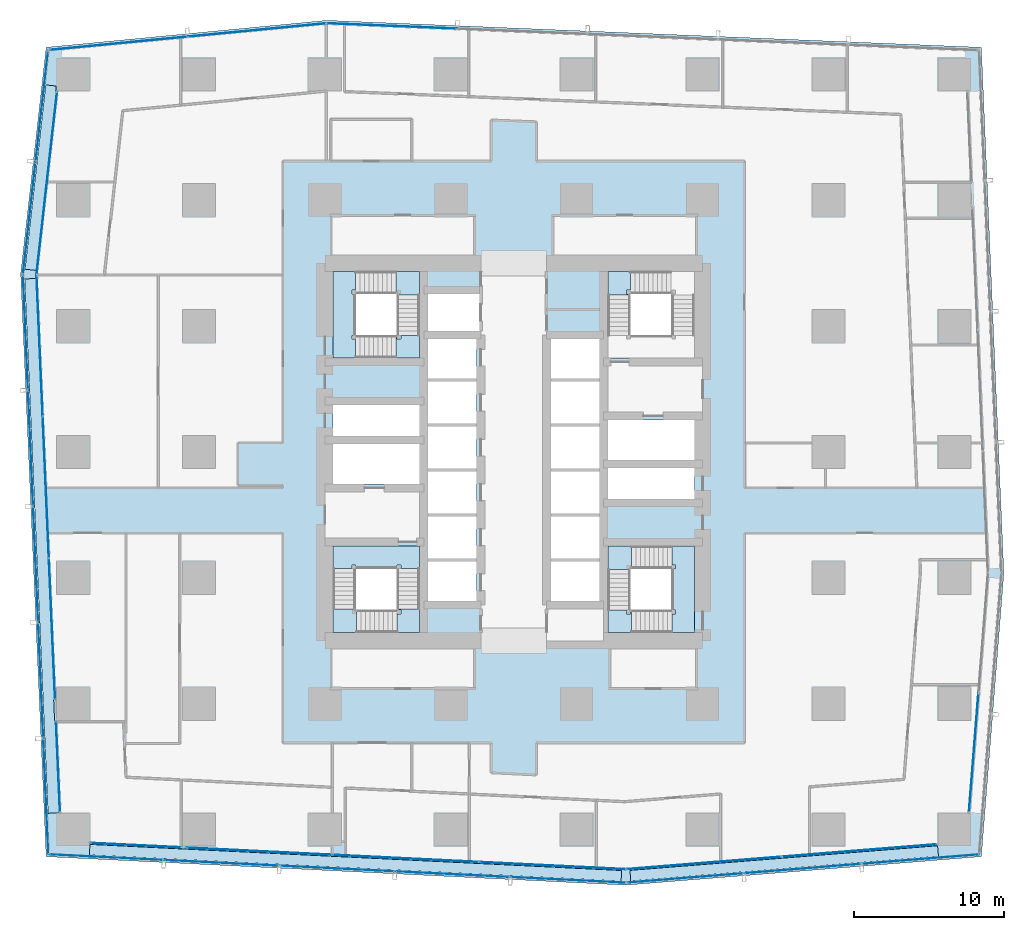
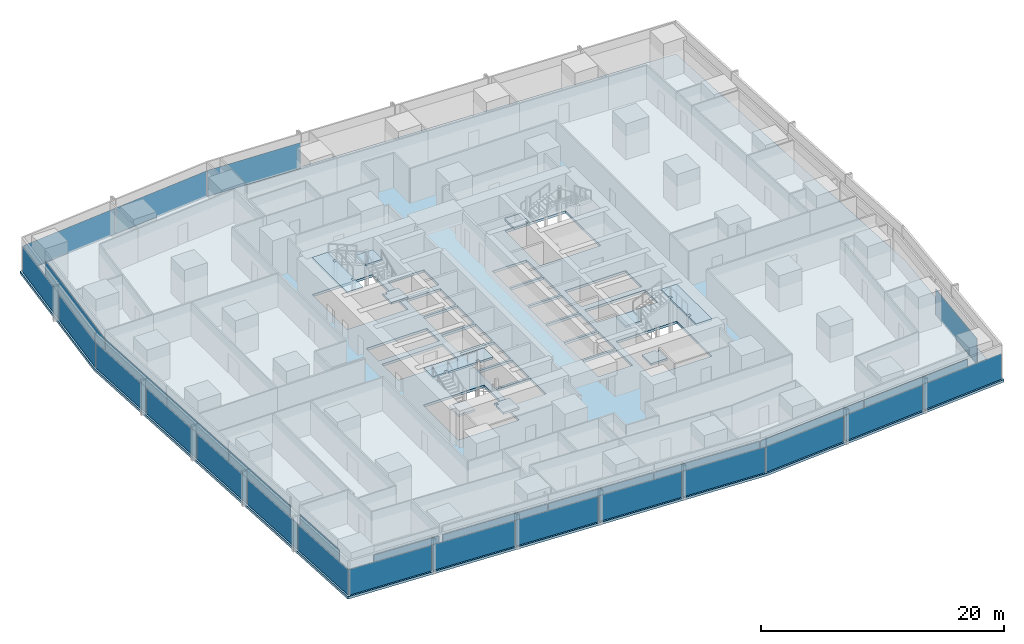
# One storey, part 30 of 45: 34 plates, 11 slabs, 17 elements without a shape of their own.
"""IFC4 building model written with IfcOpenShell, lengths in metres."""

from ifc_helpers import new_model, si_unit, direction, frame, origin, origin_2d, place, context, subcontext, project, spatial, polyline, rectangle, outline, extrude, material, layer, layer_set, type_object, element, aggregate, save


model = new_model("IFC4")

# Units and contexts
model_context = context("Model", 3, precision=1e-05, world=origin(), true_north=direction((0.0, 1.0)))
body_context = subcontext(model_context, "Body", "Model", "MODEL_VIEW")
ifc_project = project(units=[si_unit("LENGTHUNIT", "METRE"), si_unit("AREAUNIT", "SQUARE_METRE"), si_unit("VOLUMEUNIT", "CUBIC_METRE"), si_unit("PLANEANGLEUNIT", "RADIAN"), si_unit("MASSUNIT", "GRAM", prefix="KILO")], contexts=[model_context])

# Site, building, storey
site_placement = place(None, origin())
site = spatial("IfcSite", under=ifc_project, at=site_placement, CompositionType="ELEMENT")
building_placement = place(site_placement, origin())
building = spatial("IfcBuilding", under=site, at=building_placement, Name="Rekha Terrace Tower", CompositionType="ELEMENT")
storey_placement = place(building_placement, frame((0.0, 0.0, 36.64990234375)))
storey = spatial("IfcBuildingStorey", under=building, at=storey_placement, Name="L08", CompositionType="ELEMENT", Elevation=36.64990234375)

# Curtain wall, plate
ifc_material_1 = material(Name="Aluminium framing", Category="aluminium")
curtain_wall_type_1 = type_object("IfcCurtainWallType", Name="CW1 double skin inner glazing", PredefinedType="USERDEFINED", material=ifc_material_1)
curtain_wall_1_placement = place(storey_placement, origin())
curtain_wall_1 = element("IfcCurtainWall", 1, at=curtain_wall_1_placement, inside=storey, type_object=curtain_wall_type_1, Name="CW1 double skin inner glazing", ObjectType="DOUBLE SKIN INNER GLAZING", PredefinedType="USERDEFINED")
ifc_material_2 = material(Name="Double-glazed low-e unit 32", Category="glass")
ifc_layer_1 = layer(ifc_material_2, 0.031982421875)
ifc_layer_set_1 = layer_set([ifc_layer_1], Name="Double-glazed low-e unit 32")
plate_type_1 = type_object("IfcPlateType", Name="CW1 jumbo vision panel, double-glazed low-e unit 32", PredefinedType="CURTAIN_PANEL", material=ifc_layer_set_1)
plate_1_placement = place(storey_placement, frame((12.60009765625, 7.36669921875, 0.0), z_axis=(0.0, 0.0, 1.0), x_axis=(0.998796239977, -0.049051717693, 0.0)))
plate_1 = element("IfcPlate", 2, at=plate_1_placement, type_object=plate_type_1, Name="CW1 panel 1.1", PredefinedType="CURTAIN_PANEL", context=body_context, shape_type="SweptSolid", body=[
    extrude(rectangle(XDim=6.028076171875, YDim=0.031982421875, at=origin_2d()), origin(), (0.0, 0.0, 1.0), 2.60009765625),
])
aggregate(curtain_wall_1, [plate_1])

# Curtain wall, plates
curtain_wall_2_placement = place(storey_placement, origin())
curtain_wall_2 = element("IfcCurtainWall", 3, at=curtain_wall_2_placement, inside=storey, type_object=curtain_wall_type_1, Name="CW1 double skin inner glazing", ObjectType="DOUBLE SKIN INNER GLAZING", PredefinedType="USERDEFINED")
plate_2_placement = place(storey_placement, frame((20.818603515625, 6.962890625, 0.0), z_axis=(0.0, 0.0, 1.0), x_axis=(0.998796239974, -0.049051717746, 0.0)))
plate_2 = element("IfcPlate", 4, at=plate_2_placement, type_object=plate_type_1, Name="CW1 panel 1.1", PredefinedType="CURTAIN_PANEL", context=body_context, shape_type="SweptSolid", body=[
    extrude(rectangle(XDim=9.701904296875, YDim=0.031982421875, at=origin_2d()), origin(), (0.0, 0.0, 1.0), 2.60009765625),
])
plate_3_placement = place(storey_placement, frame((30.590087890625, 6.483154296875, 0.0), z_axis=(0.0, 0.0, 1.0), x_axis=(0.998796239974, -0.049051717746, 0.0)))
plate_3 = element("IfcPlate", 5, at=plate_3_placement, type_object=plate_type_1, Name="CW1 panel 2.1", PredefinedType="CURTAIN_PANEL", context=body_context, shape_type="SweptSolid", body=[
    extrude(rectangle(XDim=9.734619140625, YDim=0.031982421875, at=origin_2d()), origin(), (0.0, 0.0, 1.0), 2.60009765625),
])
plate_4_placement = place(storey_placement, frame((40.39404296875, 6.001708984375, 0.0), z_axis=(0.0, 0.0, 1.0), x_axis=(0.998796239974, -0.049051717746, 0.0)))
plate_4 = element("IfcPlate", 6, at=plate_4_placement, type_object=plate_type_1, Name="CW1 panel 3.1", PredefinedType="CURTAIN_PANEL", context=body_context, shape_type="SweptSolid", body=[
    extrude(rectangle(XDim=9.76708984375, YDim=0.031982421875, at=origin_2d()), origin(), (0.0, 0.0, 1.0), 2.60009765625),
])
aggregate(curtain_wall_2, [plate_2, plate_3, plate_4])

curtain_wall_3_placement = place(storey_placement, origin())
curtain_wall_3 = element("IfcCurtainWall", 7, at=curtain_wall_3_placement, inside=storey, type_object=curtain_wall_type_1, Name="CW1 double skin inner glazing", ObjectType="DOUBLE SKIN INNER GLAZING", PredefinedType="USERDEFINED")
plate_5_placement = place(storey_placement, frame((50.488037109375, 6.18017578125, 0.0), z_axis=(0.0, 0.0, 1.0), x_axis=(0.996805111821, 0.079872204468, 0.0)))
plate_5 = element("IfcPlate", 8, at=plate_5_placement, type_object=plate_type_1, Name="CW1 panel 1.1", PredefinedType="CURTAIN_PANEL", context=body_context, shape_type="SweptSolid", body=[
    extrude(rectangle(XDim=10.336181640625, YDim=0.031982421875, at=origin_2d()), origin(), (0.0, 0.0, 1.0), 2.60009765625),
])
plate_6_placement = place(storey_placement, frame((60.85595703125, 7.0107421875, 0.0), z_axis=(0.0, 0.0, 1.0), x_axis=(0.996805111821, 0.079872204468, 0.0)))
plate_6 = element("IfcPlate", 9, at=plate_6_placement, type_object=plate_type_1, Name="CW1 panel 2.1", PredefinedType="CURTAIN_PANEL", context=body_context, shape_type="SweptSolid", body=[
    extrude(rectangle(XDim=10.336181640625, YDim=0.031982421875, at=origin_2d()), origin(), (0.0, 0.0, 1.0), 2.60009765625),
])
aggregate(curtain_wall_3, [plate_5, plate_6])

# Curtain wall, plate
curtain_wall_4_placement = place(storey_placement, origin())
curtain_wall_4 = element("IfcCurtainWall", 10, at=curtain_wall_4_placement, inside=storey, type_object=curtain_wall_type_1, Name="CW1 double skin inner glazing", ObjectType="DOUBLE SKIN INNER GLAZING", PredefinedType="USERDEFINED")
plate_7_placement = place(storey_placement, frame((68.487548828125, 13.541748046875, 0.0), z_axis=(0.0, 0.0, 1.0), x_axis=(0.079116301, 0.996865392576, 0.0)))
plate_7 = element("IfcPlate", 11, at=plate_7_placement, type_object=plate_type_1, Name="CW1 panel 1.1", PredefinedType="CURTAIN_PANEL", context=body_context, shape_type="SweptSolid", body=[
    extrude(rectangle(XDim=7.923583984375, YDim=0.031982421875, at=origin_2d()), origin(), (0.0, 0.0, 1.0), 2.60009765625),
])
aggregate(curtain_wall_4, [plate_7])

curtain_wall_5_placement = place(storey_placement, origin())
curtain_wall_5 = element("IfcCurtainWall", 12, at=curtain_wall_5_placement, inside=storey, type_object=curtain_wall_type_1, Name="CW1 double skin inner glazing", ObjectType="DOUBLE SKIN INNER GLAZING", PredefinedType="USERDEFINED")
plate_8_placement = place(storey_placement, frame((6.646728515625, 51.52734375, 0.0), z_axis=(0.0, 0.0, 1.0), x_axis=(-0.111729870748, -0.993738615524, 0.0)))
plate_8 = element("IfcPlate", 13, at=plate_8_placement, type_object=plate_type_1, Name="CW1 panel 1.1", PredefinedType="CURTAIN_PANEL", context=body_context, shape_type="SweptSolid", body=[
    extrude(rectangle(XDim=12.243896484375, YDim=0.031982421875, at=origin_2d()), origin(), (0.0, 0.0, 1.0), 2.60009765625),
])
aggregate(curtain_wall_5, [plate_8])

# Curtain wall, plates
curtain_wall_6_placement = place(storey_placement, origin())
curtain_wall_6 = element("IfcCurtainWall", 14, at=curtain_wall_6_placement, inside=storey, type_object=curtain_wall_type_1, Name="CW1 double skin inner glazing", ObjectType="DOUBLE SKIN INNER GLAZING", PredefinedType="USERDEFINED")
plate_9_placement = place(storey_placement, frame((6.170166015625, 40.69482421875, 0.0), z_axis=(0.0, 0.0, 1.0), x_axis=(0.043682543337, -0.999045462133, 0.0)))
plate_9 = element("IfcPlate", 15, at=plate_9_placement, type_object=plate_type_1, Name="CW1 panel 1.1", PredefinedType="CURTAIN_PANEL", context=body_context, shape_type="SweptSolid", body=[
    extrude(rectangle(XDim=9.376953125, YDim=0.031982421875, at=origin_2d()), origin(), (0.0, 0.0, 1.0), 2.60009765625),
])
plate_10_placement = place(storey_placement, frame((6.58349609375, 31.245361328125, 0.0), z_axis=(0.0, 0.0, 1.0), x_axis=(0.043682543337, -0.999045462133, 0.0)))
plate_10 = element("IfcPlate", 16, at=plate_10_placement, type_object=plate_type_1, Name="CW1 panel 2.1", PredefinedType="CURTAIN_PANEL", context=body_context, shape_type="SweptSolid", body=[
    extrude(rectangle(XDim=9.40966796875, YDim=0.031982421875, at=origin_2d()), origin(), (0.0, 0.0, 1.0), 2.60009765625),
])
plate_11_placement = place(storey_placement, frame((6.99658203125, 21.796142578125, 0.0), z_axis=(0.0, 0.0, 1.0), x_axis=(0.043682543337, -0.999045462133, 0.0)))
plate_11 = element("IfcPlate", 17, at=plate_11_placement, type_object=plate_type_1, Name="CW1 panel 3.1", PredefinedType="CURTAIN_PANEL", context=body_context, shape_type="SweptSolid", body=[
    extrude(rectangle(XDim=9.376953125, YDim=0.031982421875, at=origin_2d()), origin(), (0.0, 0.0, 1.0), 2.60009765625),
])
aggregate(curtain_wall_6, [plate_9, plate_10, plate_11])

# Curtain wall, plate
curtain_wall_7_placement = place(storey_placement, origin())
curtain_wall_7 = element("IfcCurtainWall", 18, at=curtain_wall_7_placement, inside=storey, type_object=curtain_wall_type_1, Name="CW1 double skin inner glazing", ObjectType="DOUBLE SKIN INNER GLAZING", PredefinedType="USERDEFINED")
plate_12_placement = place(storey_placement, frame((7.398681640625, 12.60009765625, 0.0), z_axis=(0.0, 0.0, 1.0), x_axis=(0.043682543424, -0.999045462129, 0.0)))
plate_12 = element("IfcPlate", 19, at=plate_12_placement, type_object=plate_type_1, Name="CW1 panel 1.1", PredefinedType="CURTAIN_PANEL", context=body_context, shape_type="SweptSolid", body=[
    extrude(rectangle(XDim=6.027587890625, YDim=0.031982421875, at=origin_2d()), origin(), (0.0, 0.0, 1.0), 2.60009765625),
])
aggregate(curtain_wall_7, [plate_12])

# Curtain wall, plates
curtain_wall_type_2 = type_object("IfcCurtainWallType", Name="CW2 double skin outer glazing", PredefinedType="USERDEFINED", material=ifc_material_1)
curtain_wall_8_placement = place(storey_placement, origin())
curtain_wall_8 = element("IfcCurtainWall", 20, at=curtain_wall_8_placement, inside=storey, type_object=curtain_wall_type_2, Name="CW2 double skin outer glazing", ObjectType="DOUBLE SKIN OUTER GLAZING", PredefinedType="USERDEFINED")
ifc_material_3 = material(Name="Toughened single glazing 12", Category="glass")
ifc_layer_2 = layer(ifc_material_3, 0.011962890625)
ifc_layer_set_2 = layer_set([ifc_layer_2], Name="Toughened single glazing 12")
plate_type_2 = type_object("IfcPlateType", Name="CW2 jumbo vision panel, toughened single glazing 12", PredefinedType="CURTAIN_PANEL", material=ifc_layer_set_2)
plate_13_placement = place(storey_placement, frame((10.626708984375, 6.5625, 0.0), z_axis=(0.0, 0.0, 1.0), x_axis=(0.998796239974, -0.049051717746, 0.0)))
plate_13 = element("IfcPlate", 21, at=plate_13_placement, type_object=plate_type_2, Name="CW2 panel 1.1", PredefinedType="CURTAIN_PANEL", context=body_context, shape_type="SweptSolid", body=[
    extrude(rectangle(XDim=7.595703125, YDim=0.011962890625, at=origin_2d()), origin(), (0.0, 0.0, 1.0), 2.60009765625),
])
plate_14_placement = place(storey_placement, frame((18.31298828125, 6.18505859375, 0.0), z_axis=(0.0, 0.0, 1.0), x_axis=(0.998796239974, -0.049051717746, 0.0)))
plate_14 = element("IfcPlate", 22, at=plate_14_placement, type_object=plate_type_2, Name="CW2 panel 2.1", PredefinedType="CURTAIN_PANEL", context=body_context, shape_type="SweptSolid", body=[
    extrude(rectangle(XDim=7.6357421875, YDim=0.011962890625, at=origin_2d()), origin(), (0.0, 0.0, 1.0), 2.60009765625),
])
plate_15_placement = place(storey_placement, frame((26.01953125, 5.806396484375, 0.0), z_axis=(0.0, 0.0, 1.0), x_axis=(0.998796239974, -0.049051717746, 0.0)))
plate_15 = element("IfcPlate", 23, at=plate_15_placement, type_object=plate_type_2, Name="CW2 panel 3.1", PredefinedType="CURTAIN_PANEL", context=body_context, shape_type="SweptSolid", body=[
    extrude(rectangle(XDim=7.6357421875, YDim=0.011962890625, at=origin_2d()), origin(), (0.0, 0.0, 1.0), 2.60009765625),
])
plate_16_placement = place(storey_placement, frame((33.725830078125, 5.427978515625, 0.0), z_axis=(0.0, 0.0, 1.0), x_axis=(0.998796239974, -0.049051717746, 0.0)))
plate_16 = element("IfcPlate", 24, at=plate_16_placement, type_object=plate_type_2, Name="CW2 panel 4.1", PredefinedType="CURTAIN_PANEL", context=body_context, shape_type="SweptSolid", body=[
    extrude(rectangle(XDim=7.6357421875, YDim=0.011962890625, at=origin_2d()), origin(), (0.0, 0.0, 1.0), 2.60009765625),
])
plate_17_placement = place(storey_placement, frame((41.452392578125, 5.048583984375, 0.0), z_axis=(0.0, 0.0, 1.0), x_axis=(0.998796239974, -0.049051717746, 0.0)))
plate_17 = element("IfcPlate", 25, at=plate_17_placement, type_object=plate_type_2, Name="CW2 panel 5.1", PredefinedType="CURTAIN_PANEL", context=body_context, shape_type="SweptSolid", body=[
    extrude(rectangle(XDim=7.67578125, YDim=0.011962890625, at=origin_2d()), origin(), (0.0, 0.0, 1.0), 2.60009765625),
])
aggregate(curtain_wall_8, [plate_13, plate_14, plate_15, plate_16, plate_17])

curtain_wall_9_placement = place(storey_placement, origin())
curtain_wall_9 = element("IfcCurtainWall", 26, at=curtain_wall_9_placement, inside=storey, type_object=curtain_wall_type_2, Name="CW2 double skin outer glazing", ObjectType="DOUBLE SKIN OUTER GLAZING", PredefinedType="USERDEFINED")
plate_18_placement = place(storey_placement, frame((49.233154296875, 5.176513671875, 0.0), z_axis=(0.0, 0.0, 1.0), x_axis=(0.996805111821, 0.079872204468, 0.0)))
plate_18 = element("IfcPlate", 27, at=plate_18_placement, type_object=plate_type_2, Name="CW2 panel 1.1", PredefinedType="CURTAIN_PANEL", context=body_context, shape_type="SweptSolid", body=[
    extrude(rectangle(XDim=7.760498046875, YDim=0.011962890625, at=origin_2d()), origin(), (0.0, 0.0, 1.0), 2.60009765625),
])
plate_19_placement = place(storey_placement, frame((57.068359375, 5.804443359375, 0.0), z_axis=(0.0, 0.0, 1.0), x_axis=(0.996805111821, 0.079872204468, 0.0)))
plate_19 = element("IfcPlate", 28, at=plate_19_placement, type_object=plate_type_2, Name="CW2 panel 2.1", PredefinedType="CURTAIN_PANEL", context=body_context, shape_type="SweptSolid", body=[
    extrude(rectangle(XDim=7.800537109375, YDim=0.011962890625, at=origin_2d()), origin(), (0.0, 0.0, 1.0), 2.60009765625),
])
plate_20_placement = place(storey_placement, frame((64.943603515625, 6.435546875, 0.0), z_axis=(0.0, 0.0, 1.0), x_axis=(0.996805111821, 0.079872204468, 0.0)))
plate_20 = element("IfcPlate", 29, at=plate_20_placement, type_object=plate_type_2, Name="CW2 panel 3.1", PredefinedType="CURTAIN_PANEL", context=body_context, shape_type="SweptSolid", body=[
    extrude(rectangle(XDim=7.84033203125, YDim=0.011962890625, at=origin_2d()), origin(), (0.0, 0.0, 1.0), 2.60009765625),
])
aggregate(curtain_wall_9, [plate_18, plate_19, plate_20])

curtain_wall_10_placement = place(storey_placement, origin())
curtain_wall_10 = element("IfcCurtainWall", 30, at=curtain_wall_10_placement, inside=storey, type_object=curtain_wall_type_2, Name="CW2 double skin outer glazing", ObjectType="DOUBLE SKIN OUTER GLAZING", PredefinedType="USERDEFINED")
plate_21_placement = place(storey_placement, frame((6.3212890625, 56.688720703125, 0.0), z_axis=(0.0, 0.0, 1.0), x_axis=(-0.111729870782, -0.99373861552, 0.0)))
plate_21 = element("IfcPlate", 31, at=plate_21_placement, type_object=plate_type_2, Name="CW2 panel 1.1", PredefinedType="CURTAIN_PANEL", context=body_context, shape_type="SweptSolid", body=[
    extrude(rectangle(XDim=7.41650390625, YDim=0.011962890625, at=origin_2d()), origin(), (0.0, 0.0, 1.0), 2.60009765625),
])
plate_22_placement = place(storey_placement, frame((5.479248046875, 49.19921875, 0.0), z_axis=(0.0, 0.0, 1.0), x_axis=(-0.111729870782, -0.99373861552, 0.0)))
plate_22 = element("IfcPlate", 32, at=plate_22_placement, type_object=plate_type_2, Name="CW2 panel 2.1", PredefinedType="CURTAIN_PANEL", context=body_context, shape_type="SweptSolid", body=[
    extrude(rectangle(XDim=7.49658203125, YDim=0.011962890625, at=origin_2d()), origin(), (0.0, 0.0, 1.0), 2.60009765625),
])
aggregate(curtain_wall_10, [plate_21, plate_22])

curtain_wall_11_placement = place(storey_placement, origin())
curtain_wall_11 = element("IfcCurtainWall", 33, at=curtain_wall_11_placement, inside=storey, type_object=curtain_wall_type_2, Name="CW2 double skin outer glazing", ObjectType="DOUBLE SKIN OUTER GLAZING", PredefinedType="USERDEFINED")
plate_23_placement = place(storey_placement, frame((5.23046875, 41.582275390625, 0.0), z_axis=(0.0, 0.0, 1.0), x_axis=(0.043682543372, -0.999045462131, 0.0)))
plate_23 = element("IfcPlate", 34, at=plate_23_placement, type_object=plate_type_2, Name="CW2 panel 1.1", PredefinedType="CURTAIN_PANEL", context=body_context, shape_type="SweptSolid", body=[
    extrude(rectangle(XDim=7.6318359375, YDim=0.011962890625, at=origin_2d()), origin(), (0.0, 0.0, 1.0), 2.60009765625),
])
plate_24_placement = place(storey_placement, frame((5.568359375, 33.85791015625, 0.0), z_axis=(0.0, 0.0, 1.0), x_axis=(0.043682543372, -0.999045462131, 0.0)))
plate_24 = element("IfcPlate", 35, at=plate_24_placement, type_object=plate_type_2, Name="CW2 panel 2.1", PredefinedType="CURTAIN_PANEL", context=body_context, shape_type="SweptSolid", body=[
    extrude(rectangle(XDim=7.671875, YDim=0.011962890625, at=origin_2d()), origin(), (0.0, 0.0, 1.0), 2.60009765625),
])
plate_25_placement = place(storey_placement, frame((5.906982421875, 26.113525390625, 0.0), z_axis=(0.0, 0.0, 1.0), x_axis=(0.043682543372, -0.999045462131, 0.0)))
plate_25 = element("IfcPlate", 36, at=plate_25_placement, type_object=plate_type_2, Name="CW2 panel 3.1", PredefinedType="CURTAIN_PANEL", context=body_context, shape_type="SweptSolid", body=[
    extrude(rectangle(XDim=7.671875, YDim=0.011962890625, at=origin_2d()), origin(), (0.0, 0.0, 1.0), 2.60009765625),
])
plate_26_placement = place(storey_placement, frame((6.24560546875, 18.369140625, 0.0), z_axis=(0.0, 0.0, 1.0), x_axis=(0.043682543372, -0.999045462131, 0.0)))
plate_26 = element("IfcPlate", 37, at=plate_26_placement, type_object=plate_type_2, Name="CW2 panel 4.1", PredefinedType="CURTAIN_PANEL", context=body_context, shape_type="SweptSolid", body=[
    extrude(rectangle(XDim=7.671875, YDim=0.011962890625, at=origin_2d()), origin(), (0.0, 0.0, 1.0), 2.60009765625),
])
plate_27_placement = place(storey_placement, frame((6.5849609375, 10.60498046875, 0.0), z_axis=(0.0, 0.0, 1.0), x_axis=(0.043682543372, -0.999045462131, 0.0)))
plate_27 = element("IfcPlate", 38, at=plate_27_placement, type_object=plate_type_2, Name="CW2 panel 5.1", PredefinedType="CURTAIN_PANEL", context=body_context, shape_type="SweptSolid", body=[
    extrude(rectangle(XDim=7.711669921875, YDim=0.011962890625, at=origin_2d()), origin(), (0.0, 0.0, 1.0), 2.60009765625),
])
aggregate(curtain_wall_11, [plate_23, plate_24, plate_25, plate_26, plate_27])

# Curtain wall, plate
curtain_wall_type_3 = type_object("IfcCurtainWallType", Name="CW3 north unitised glazing", PredefinedType="USERDEFINED", material=ifc_material_1)
curtain_wall_12_placement = place(storey_placement, origin())
curtain_wall_12 = element("IfcCurtainWall", 39, at=curtain_wall_12_placement, inside=storey, type_object=curtain_wall_type_3, Name="CW3 unitised curtain wall", ObjectType="UNITISED CURTAIN WALL", PredefinedType="USERDEFINED")
ifc_material_4 = material(Name="Double-glazed unit 28", Category="glass")
ifc_layer_3 = layer(ifc_material_4, 0.028076171875)
ifc_layer_set_3 = layer_set([ifc_layer_3], Name="Double-glazed unit 28")
plate_type_3 = type_object("IfcPlateType", Name="CW3 jumbo vision panel, double-glazed unit 28", PredefinedType="CURTAIN_PANEL", material=ifc_layer_set_3)
plate_28_placement = place(storey_placement, frame((29.65625, 62.021240234375, 0.0), z_axis=(0.0, 0.0, 1.0), x_axis=(-0.999151997647, 0.041173846041, 0.0)))
plate_28 = element("IfcPlate", 40, at=plate_28_placement, type_object=plate_type_3, Name="CW3 panel 5.1", PredefinedType="CURTAIN_PANEL", context=body_context, shape_type="SweptSolid", body=[
    extrude(rectangle(XDim=8.6689453125, YDim=0.028076171875, at=origin_2d()), origin(), (0.0, 0.0, 1.0), 2.60009765625),
])
aggregate(curtain_wall_12, [plate_28])

# Curtain wall, plates
curtain_wall_13_placement = place(storey_placement, origin())
curtain_wall_13 = element("IfcCurtainWall", 41, at=curtain_wall_13_placement, inside=storey, type_object=curtain_wall_type_3, Name="CW3 unitised curtain wall", ObjectType="UNITISED CURTAIN WALL", PredefinedType="USERDEFINED")
plate_29_placement = place(storey_placement, frame((20.671875, 61.752197265625, 0.0), z_axis=(0.0, 0.0, 1.0), x_axis=(-0.995409029102, -0.095712406625, 0.0)))
plate_29 = element("IfcPlate", 42, at=plate_29_placement, type_object=plate_type_3, Name="CW3 panel 1.1", PredefinedType="CURTAIN_PANEL", context=body_context, shape_type="SweptSolid", body=[
    extrude(rectangle(XDim=9.210205078125, YDim=0.028076171875, at=origin_2d()), origin(), (0.0, 0.0, 1.0), 2.60009765625),
])
plate_30_placement = place(storey_placement, frame((11.434326171875, 60.864013671875, 0.0), z_axis=(0.0, 0.0, 1.0), x_axis=(-0.995409029102, -0.095712406625, 0.0)))
plate_30 = element("IfcPlate", 43, at=plate_30_placement, type_object=plate_type_3, Name="CW3 panel 2.1", PredefinedType="CURTAIN_PANEL", context=body_context, shape_type="SweptSolid", body=[
    extrude(rectangle(XDim=9.210205078125, YDim=0.028076171875, at=origin_2d()), origin(), (0.0, 0.0, 1.0), 2.60009765625),
])
aggregate(curtain_wall_13, [plate_29, plate_30])

# Plates
ifc_material_5 = material(Name="Galvanised steel open grating", Category="steel")
ifc_layer_4 = layer(ifc_material_5, 0.050048828125)
ifc_layer_set_4 = layer_set([ifc_layer_4], Name="Galvanised steel open grating")
plate_type_4 = type_object("IfcPlateType", Name="GT1 cavity walkway grating 50", PredefinedType="USERDEFINED", material=ifc_layer_set_4)
plate_31_placement = place(storey_placement, frame((27.24365234375, 6.197021484375, 0.0), z_axis=(0.0, 0.0, 1.0), x_axis=(0.998796239974, -0.049051717746, 0.0)))
element("IfcPlate", 44, at=plate_31_placement, inside=storey, type_object=plate_type_4, Name="Cavity walkway grating", ObjectType="CAVITY WALKWAY GRATING", PredefinedType="USERDEFINED", context=body_context, shape_type="SweptSolid", body=[
    extrude(rectangle(XDim=35.512939453125, YDim=0.705078125, at=origin_2d()), origin(), (0.0, 0.0, 1.0), 0.050048828125),
])
plate_32_placement = place(storey_placement, frame((55.841552734375, 6.15771484375, 0.0), z_axis=(0.0, 0.0, 1.0), x_axis=(0.996805111821, 0.079872204468, 0.0)))
element("IfcPlate", 45, at=plate_32_placement, inside=storey, type_object=plate_type_4, Name="Cavity walkway grating", ObjectType="CAVITY WALKWAY GRATING", PredefinedType="USERDEFINED", context=body_context, shape_type="SweptSolid", body=[
    extrude(rectangle(XDim=20.59375, YDim=0.705078125, at=origin_2d()), origin(), (0.0, 0.0, 1.0), 0.050048828125),
])
plate_33_placement = place(storey_placement, frame((6.236328125, 51.90576171875, 0.0), z_axis=(0.0, 0.0, 1.0), x_axis=(-0.1117298708, -0.993738615518, 0.0)))
element("IfcPlate", 46, at=plate_33_placement, inside=storey, type_object=plate_type_4, Name="Cavity walkway grating", ObjectType="CAVITY WALKWAY GRATING", PredefinedType="USERDEFINED", context=body_context, shape_type="SweptSolid", body=[
    extrude(rectangle(XDim=12.374267578125, YDim=0.705078125, at=origin_2d()), origin(), (0.0, 0.0, 1.0), 0.050048828125),
])
plate_34_placement = place(storey_placement, frame((6.303955078125, 27.3349609375, 0.0), z_axis=(0.0, 0.0, 1.0), x_axis=(0.043682543355, -0.999045462132, 0.0)))
element("IfcPlate", 47, at=plate_34_placement, inside=storey, type_object=plate_type_4, Name="Cavity walkway grating", ObjectType="CAVITY WALKWAY GRATING", PredefinedType="USERDEFINED", context=body_context, shape_type="SweptSolid", body=[
    extrude(rectangle(XDim=35.682861328125, YDim=0.705078125, at=origin_2d()), origin(), (0.0, 0.0, 1.0), 0.050048828125),
])

# Stair, slabs
ifc_material_6 = material(Name="Concrete M40", Category="concrete")
stair_type = type_object("IfcStairType", Name="ST30 stair, 30 risers of 125, going 300, 1500 wide flights, 3 flights", PredefinedType="HALF_TURN_STAIR", material=ifc_material_6)
stair_1_placement = place(storey_placement, origin())
stair_1 = element("IfcStair", 48, at=stair_1_placement, inside=storey, type_object=stair_type, Name="Stair ST1 L08 to L09", PredefinedType="HALF_TURN_STAIR")
ifc_layer_5 = layer(ifc_material_6, 0.199951171875)
ifc_layer_set_5 = layer_set([ifc_layer_5], Name="Concrete M40")
slab_type_1 = type_object("IfcSlabType", Name="LD1 200 concrete stair landing", PredefinedType="LANDING", material=ifc_layer_set_5)
slab_1_placement = place(storey_placement, frame((0.0, 0.0, 1.050048828125)))
slab_1 = element("IfcSlab", 49, at=slab_1_placement, type_object=slab_type_1, Name="ST1 landing 1", PredefinedType="LANDING", context=body_context, shape_type="SweptSolid", body=[
    extrude(outline(polyline([(30.02490234375, 21.550048828125), (31.52490234375, 21.550048828125), (31.52490234375, 23.125), (30.02490234375, 23.125), (30.02490234375, 23.050048828125), (30.27490234375, 23.050048828125), (30.27490234375, 22.800048828125), (30.02490234375, 22.800048828125), (30.02490234375, 21.550048828125)])), origin(), (0.0, 0.0, 1.0), 0.199951171875),
])
slab_2_placement = place(storey_placement, frame((0.0, 0.0, 2.300048828125)))
slab_2 = element("IfcSlab", 50, at=slab_2_placement, type_object=slab_type_1, Name="ST1 landing 2", PredefinedType="LANDING", context=body_context, shape_type="SweptSolid", body=[
    extrude(outline(polyline([(27.25, 23.125), (25.75, 23.125), (25.75, 21.550048828125), (27.324951171875, 21.550048828125), (27.324951171875, 23.050048828125), (27.25, 23.050048828125), (27.25, 23.125)])), origin(), (0.0, 0.0, 1.0), 0.199951171875),
])
slab_3_placement = place(storey_placement, frame((0.0, 0.0, 3.550048828125)))
slab_3 = element("IfcSlab", 51, at=slab_3_placement, type_object=slab_type_1, Name="ST1 landing 3", PredefinedType="LANDING", context=body_context, shape_type="SweptSolid", body=[
    extrude(outline(polyline([(31.52490234375, 25.824951171875), (31.52490234375, 27.324951171875), (25.75, 27.324951171875), (25.75, 25.824951171875), (27.0, 25.824951171875), (27.0, 26.074951171875), (27.25, 26.074951171875), (27.25, 25.824951171875), (30.02490234375, 25.824951171875), (30.02490234375, 26.074951171875), (30.27490234375, 26.074951171875), (30.27490234375, 25.824951171875), (31.52490234375, 25.824951171875)])), origin(), (0.0, 0.0, 1.0), 0.199951171875),
])
aggregate(stair_1, [slab_1, slab_2, slab_3])

# Stair, slab
stair_2_placement = place(storey_placement, origin())
stair_2 = element("IfcStair", 52, at=stair_2_placement, inside=storey, type_object=stair_type, Name="Stair ST2 L08 to L09", PredefinedType="HALF_TURN_STAIR")
slab_4_placement = place(storey_placement, frame((0.0, 0.0, 1.050048828125)))
slab_4 = element("IfcSlab", 53, at=slab_4_placement, type_object=slab_type_1, Name="ST2 landing 1", PredefinedType="LANDING", context=body_context, shape_type="SweptSolid", body=[
    extrude(outline(polyline([(45.574951171875, 45.64990234375), (44.074951171875, 45.64990234375), (44.074951171875, 44.074951171875), (45.574951171875, 44.074951171875), (45.574951171875, 44.14990234375), (45.324951171875, 44.14990234375), (45.324951171875, 44.39990234375), (45.574951171875, 44.39990234375), (45.574951171875, 45.64990234375)])), origin(), (0.0, 0.0, 1.0), 0.199951171875),
])
aggregate(stair_2, [slab_4])

# Stair, slabs
stair_3_placement = place(storey_placement, origin())
stair_3 = element("IfcStair", 54, at=stair_3_placement, inside=storey, type_object=stair_type, Name="Stair ST3 L08 to L09", PredefinedType="HALF_TURN_STAIR")
slab_5_placement = place(storey_placement, frame((0.0, 0.0, 1.050048828125)))
slab_5 = element("IfcSlab", 55, at=slab_5_placement, type_object=slab_type_1, Name="ST3 landing 1", PredefinedType="LANDING", context=body_context, shape_type="SweptSolid", body=[
    extrude(outline(polyline([(44.074951171875, 23.050048828125), (44.074951171875, 21.550048828125), (45.64990234375, 21.550048828125), (45.64990234375, 23.050048828125), (45.574951171875, 23.050048828125), (45.574951171875, 22.800048828125), (45.324951171875, 22.800048828125), (45.324951171875, 23.050048828125), (44.074951171875, 23.050048828125)])), origin(), (0.0, 0.0, 1.0), 0.199951171875),
])
slab_6_placement = place(storey_placement, frame((0.0, 0.0, 2.300048828125)))
slab_6 = element("IfcSlab", 56, at=slab_6_placement, type_object=slab_type_1, Name="ST3 landing 2", PredefinedType="LANDING", context=body_context, shape_type="SweptSolid", body=[
    extrude(outline(polyline([(45.64990234375, 25.824951171875), (45.64990234375, 27.324951171875), (44.074951171875, 27.324951171875), (44.074951171875, 25.75), (45.574951171875, 25.75), (45.574951171875, 25.824951171875), (45.64990234375, 25.824951171875)])), origin(), (0.0, 0.0, 1.0), 0.199951171875),
])
slab_7_placement = place(storey_placement, frame((0.0, 0.0, 3.550048828125)))
slab_7 = element("IfcSlab", 57, at=slab_7_placement, type_object=slab_type_1, Name="ST3 landing 3", PredefinedType="LANDING", context=body_context, shape_type="SweptSolid", body=[
    extrude(outline(polyline([(48.35009765625, 21.550048828125), (49.85009765625, 21.550048828125), (49.85009765625, 27.324951171875), (48.35009765625, 27.324951171875), (48.35009765625, 26.074951171875), (48.60009765625, 26.074951171875), (48.60009765625, 25.824951171875), (48.35009765625, 25.824951171875), (48.35009765625, 23.050048828125), (48.60009765625, 23.050048828125), (48.60009765625, 22.800048828125), (48.35009765625, 22.800048828125), (48.35009765625, 21.550048828125)])), origin(), (0.0, 0.0, 1.0), 0.199951171875),
])
aggregate(stair_3, [slab_5, slab_6, slab_7])

stair_4_placement = place(storey_placement, origin())
stair_4 = element("IfcStair", 58, at=stair_4_placement, inside=storey, type_object=stair_type, Name="Stair ST4 L08 to L09", PredefinedType="HALF_TURN_STAIR")
slab_8_placement = place(storey_placement, frame((0.0, 0.0, 1.050048828125)))
slab_8 = element("IfcSlab", 59, at=slab_8_placement, type_object=slab_type_1, Name="ST4 landing 1", PredefinedType="LANDING", context=body_context, shape_type="SweptSolid", body=[
    extrude(outline(polyline([(31.52490234375, 41.375), (31.52490234375, 39.875), (29.949951171875, 39.875), (29.949951171875, 41.375), (30.02490234375, 41.375), (30.02490234375, 41.125), (30.27490234375, 41.125), (30.27490234375, 41.375), (31.52490234375, 41.375)])), origin(), (0.0, 0.0, 1.0), 0.199951171875),
])
slab_9_placement = place(storey_placement, frame((0.0, 0.0, 2.300048828125)))
slab_9 = element("IfcSlab", 60, at=slab_9_placement, type_object=slab_type_1, Name="ST4 landing 2", PredefinedType="LANDING", context=body_context, shape_type="SweptSolid", body=[
    extrude(outline(polyline([(29.949951171875, 44.14990234375), (29.949951171875, 45.64990234375), (31.52490234375, 45.64990234375), (31.52490234375, 44.074951171875), (30.02490234375, 44.074951171875), (30.02490234375, 44.14990234375), (29.949951171875, 44.14990234375)])), origin(), (0.0, 0.0, 1.0), 0.199951171875),
])
slab_10_placement = place(storey_placement, frame((0.0, 0.0, 3.550048828125)))
slab_10 = element("IfcSlab", 61, at=slab_10_placement, type_object=slab_type_1, Name="ST4 landing 3", PredefinedType="LANDING", context=body_context, shape_type="SweptSolid", body=[
    extrude(outline(polyline([(27.25, 39.875), (25.75, 39.875), (25.75, 45.64990234375), (27.25, 45.64990234375), (27.25, 44.39990234375), (27.0, 44.39990234375), (27.0, 44.14990234375), (27.25, 44.14990234375), (27.25, 41.375), (27.0, 41.375), (27.0, 41.125), (27.25, 41.125), (27.25, 39.875)])), origin(), (0.0, 0.0, 1.0), 0.199951171875),
])
aggregate(stair_4, [slab_8, slab_9, slab_10])

# Slab
ifc_material_7 = material(Name="Concrete M50", Category="concrete")
ifc_layer_6 = layer(ifc_material_7, 0.25)
ifc_layer_set_6 = layer_set([ifc_layer_6], Name="Concrete M50")
slab_type_2 = type_object("IfcSlabType", Name="SL4 250 post-tensioned flat plate", PredefinedType="FLOOR", material=ifc_layer_set_6)
slab_11_placement = place(storey_placement, frame((0.0, 0.0, -0.25)))
element("IfcSlab", 62, at=slab_11_placement, inside=storey, type_object=slab_type_2, Name="Post-tensioned flat plate L08", PredefinedType="FLOOR", context=body_context, shape_type="SweptSolid", body=[
    extrude(outline(polyline([(4.89990234375, 45.47998046875), (6.60009765625, 6.60009765625), (45.2880859375, 4.699951171875), (69.0, 6.60009765625), (70.5, 25.5), (69.0, 60.60009765625), (25.320068359375, 62.39990234375), (6.60009765625, 60.60009765625), (4.89990234375, 45.47998046875)]), holes=[polyline([(31.52490234375, 27.324951171875), (31.52490234375, 21.550048828125), (25.75, 21.550048828125), (25.75, 27.324951171875), (31.52490234375, 27.324951171875)]), polyline([(35.324951171875, 26.300048828125), (35.324951171875, 23.675048828125), (32.074951171875, 23.675048828125), (32.074951171875, 26.300048828125), (35.324951171875, 26.300048828125)]), polyline([(35.324951171875, 29.300048828125), (35.324951171875, 26.5), (32.074951171875, 26.5), (32.074951171875, 29.300048828125), (35.324951171875, 29.300048828125)]), polyline([(35.324951171875, 29.5), (32.074951171875, 29.5), (32.074951171875, 32.300048828125), (35.324951171875, 32.300048828125), (35.324951171875, 29.5)]), polyline([(31.52490234375, 31.47509765625), (25.75, 31.47509765625), (25.75, 34.125), (31.52490234375, 34.125), (31.52490234375, 31.47509765625)]), polyline([(35.324951171875, 35.300048828125), (35.324951171875, 32.5), (32.074951171875, 32.5), (32.074951171875, 35.300048828125), (35.324951171875, 35.300048828125)]), polyline([(31.52490234375, 36.72509765625), (31.52490234375, 34.675048828125), (25.75, 34.675048828125), (25.75, 36.72509765625), (31.52490234375, 36.72509765625)]), polyline([(35.324951171875, 38.300048828125), (35.324951171875, 35.5), (32.074951171875, 35.5), (32.074951171875, 38.300048828125), (35.324951171875, 38.300048828125)]), polyline([(35.324951171875, 38.5), (32.074951171875, 38.5), (32.074951171875, 41.125), (35.324951171875, 41.125), (35.324951171875, 38.5)]), polyline([(31.52490234375, 39.875), (25.75, 39.875), (25.75, 45.64990234375), (31.52490234375, 45.64990234375), (31.52490234375, 39.875)]), polyline([(35.5, 44.125), (35.5, 41.675048828125), (32.074951171875, 41.675048828125), (32.074951171875, 44.125), (35.5, 44.125)]), polyline([(49.85009765625, 27.324951171875), (49.85009765625, 21.550048828125), (44.074951171875, 21.550048828125), (44.074951171875, 27.324951171875), (49.85009765625, 27.324951171875)]), polyline([(43.52490234375, 26.300048828125), (43.52490234375, 23.675048828125), (40.27490234375, 23.675048828125), (40.27490234375, 26.300048828125), (43.52490234375, 26.300048828125)]), polyline([(43.52490234375, 26.5), (40.27490234375, 26.5), (40.27490234375, 29.300048828125), (43.52490234375, 29.300048828125), (43.52490234375, 26.5)]), polyline([(43.52490234375, 29.5), (40.27490234375, 29.5), (40.27490234375, 32.300048828125), (43.52490234375, 32.300048828125), (43.52490234375, 29.5)]), polyline([(49.85009765625, 32.52490234375), (49.85009765625, 30.47509765625), (44.074951171875, 30.47509765625), (44.074951171875, 32.52490234375), (49.85009765625, 32.52490234375)]), polyline([(43.52490234375, 32.5), (40.27490234375, 32.5), (40.27490234375, 35.300048828125), (43.52490234375, 35.300048828125), (43.52490234375, 32.5)]), polyline([(49.85009765625, 33.074951171875), (44.074951171875, 33.074951171875), (44.074951171875, 35.72509765625), (49.85009765625, 35.72509765625), (49.85009765625, 33.074951171875)]), polyline([(43.52490234375, 38.300048828125), (43.52490234375, 35.5), (40.27490234375, 35.5), (40.27490234375, 38.300048828125), (43.52490234375, 38.300048828125)]), polyline([(43.52490234375, 38.5), (40.27490234375, 38.5), (40.27490234375, 41.125), (43.52490234375, 41.125), (43.52490234375, 38.5)]), polyline([(49.85009765625, 39.875), (44.074951171875, 39.875), (44.074951171875, 45.64990234375), (49.85009765625, 45.64990234375), (49.85009765625, 39.875)])]), origin(), (0.0, 0.0, 1.0), 0.25),
])

save(model, "model.ifc")
